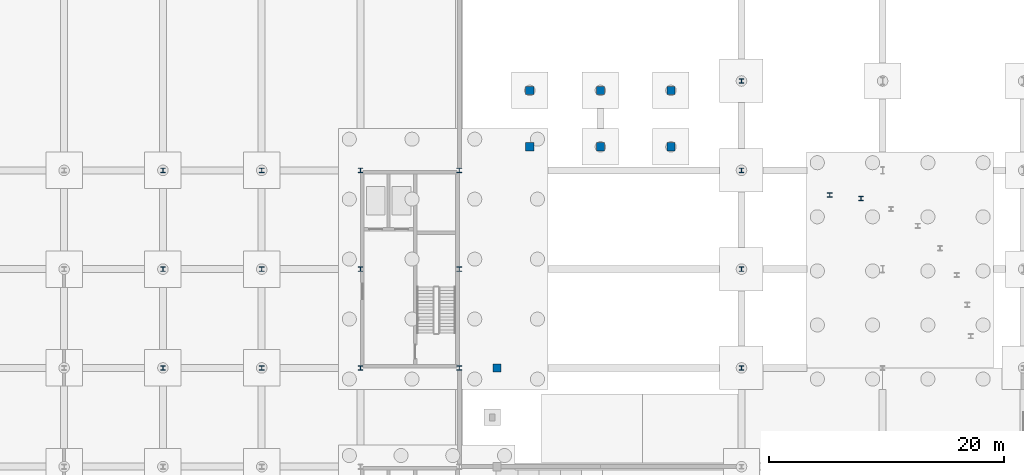
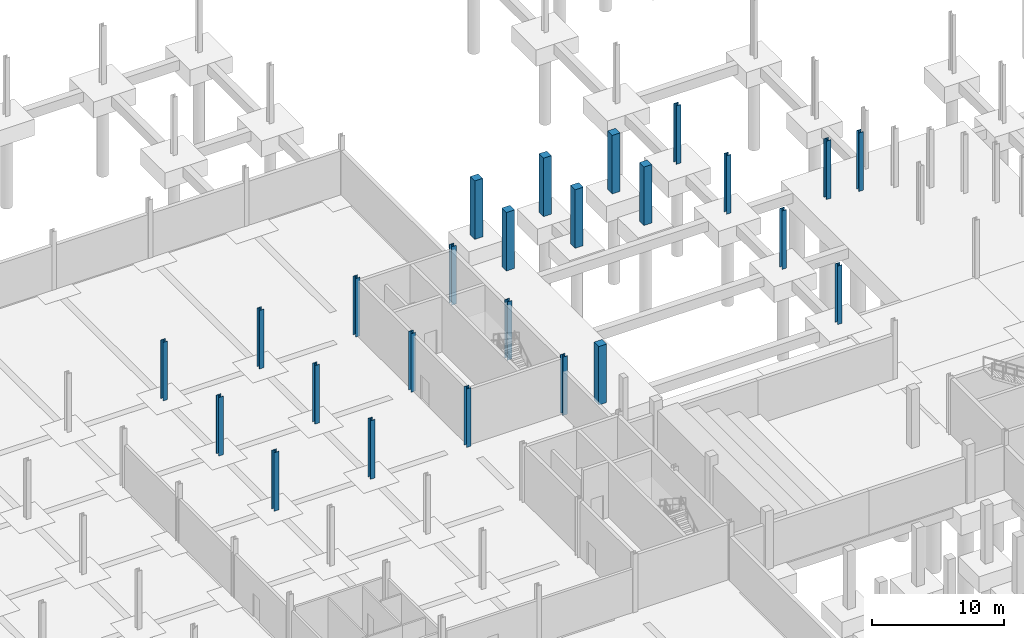
# One storey, part 14 of 36: 25 columns.
"""IFC4 building model written with IfcOpenShell, lengths in metres."""

from ifc_helpers import new_model, si_unit, direction, frame, origin, origin_2d, place, context, subcontext, project, spatial, rectangle, i_section, extrude, material, material_profile, profile_set, type_object, element, save


model = new_model("IFC4")

# Units and contexts
model_context = context("Model", 3, precision=1e-05, world=origin(), true_north=direction((0.0, 1.0)))
body_context = subcontext(model_context, "Body", "Model", "MODEL_VIEW")
ifc_project = project(units=[si_unit("LENGTHUNIT", "METRE"), si_unit("AREAUNIT", "SQUARE_METRE"), si_unit("VOLUMEUNIT", "CUBIC_METRE"), si_unit("PLANEANGLEUNIT", "RADIAN"), si_unit("MASSUNIT", "GRAM", prefix="KILO"), si_unit("THERMODYNAMICTEMPERATUREUNIT", "KELVIN"), si_unit("POWERUNIT", "WATT")], contexts=[model_context])

# Site, building, storey
site_placement = place(None, origin())
site = spatial("IfcSite", under=ifc_project, at=site_placement, CompositionType="ELEMENT")
building_placement = place(site_placement, origin())
building = spatial("IfcBuilding", under=site, at=building_placement, Name="Tembeka Court Mobility Hub", CompositionType="ELEMENT")
storey_placement = place(building_placement, frame((0.0, 0.0, -5.39990234375)))
storey = spatial("IfcBuildingStorey", under=building, at=storey_placement, Name="B1", CompositionType="ELEMENT", Elevation=-5.39990234375)

# Columns
ifc_material_1 = material(Name="Steel S355", Category="steel")
ifc_material_profile_1 = material_profile(ifc_material_1, i_section(OverallWidth=0.39892578125, OverallDepth=0.39404296875, WebThickness=0.022705078125, FlangeThickness=0.03662109375, FilletRadius=0.01513671875, at=origin_2d()), Name="UKC 356x406x287")
ifc_profile_set_1 = profile_set([ifc_material_profile_1], Name="Steel S355")
column_type_1 = type_object("IfcColumnType", Name="COL-C01", PredefinedType="COLUMN", material=ifc_profile_set_1)
for number, where, z_axis, x_axis, name in (
    (1, (67.199951171875, 63.60009765625, 0.0), (0.0, 0.0, 1.0), (1.0, 0.0, 0.0), "Column C01 (B1-098)"),
    (2, (67.199951171875, 72.0, 0.0), (0.0, 0.0, 1.0), (1.0, 0.0, 0.0), "Column C01 (B1-099)"),
    (3, (67.199951171875, 80.39990234375, 0.0), (0.0, 0.0, 1.0), (1.0, 0.0, 0.0), "Column C01 (B1-100)"),
    (4, (75.60009765625, 63.60009765625, 0.0), (0.0, 0.0, 1.0), (1.0, 0.0, 0.0), "Column C01 (B1-108)"),
    (5, (75.60009765625, 72.0, 0.0), (0.0, 0.0, 1.0), (1.0, 0.0, 0.0), "Column C01 (B1-109)"),
    (6, (75.60009765625, 80.39990234375, 0.0), (0.0, 0.0, 1.0), (1.0, 0.0, 0.0), "Column C01 (B1-110)"),
    (7, (84.0, 63.60009765625, 0.0), (0.0, 0.0, 1.0), (1.0, 0.0, 0.0), "Column C01 (B1-119)"),
    (8, (84.0, 72.0, 0.0), (0.0, 0.0, 1.0), (1.0, 0.0, 0.0), "Column C01 (B1-120)"),
    (9, (84.0, 80.39990234375, 0.0), (0.0, 0.0, 1.0), (1.0, 0.0, 0.0), "Column C01 (B1-121)"),
    (10, (92.39990234375, 63.60009765625, 0.0), (0.0, 0.0, 1.0), (1.0, 0.0, 0.0), "Column C01 (B1-131)"),
    (11, (92.39990234375, 72.0, 0.0), (0.0, 0.0, 1.0), (1.0, 0.0, 0.0), "Column C01 (B1-132)"),
    (12, (92.39990234375, 80.39990234375, 0.0), (0.0, 0.0, 1.0), (1.0, 0.0, 0.0), "Column C01 (B1-133)"),
    (13, (116.39990234375, 63.60009765625, 0.0), (0.0, 0.0, 1.0), (1.0, 0.0, 0.0), "Column C01 (B1-162)"),
    (14, (116.39990234375, 72.0, 0.0), (0.0, 0.0, 1.0), (1.0, 0.0, 0.0), "Column C01 (B1-163)"),
    (15, (116.39990234375, 80.39990234375, 0.0), (0.0, 0.0, 1.0), (1.0, 0.0, 0.0), "Column C01 (B1-164)"),
    (16, (116.39990234375, 88.0, 0.0), (0.0, 0.0, 1.0), (1.0, 0.0, 0.0), "Column C01 (B1-165)"),
    (17, (123.89990234375, 78.300048828125, 0.0), (0.0, 0.0, 1.0), (1.0, 0.0, 0.0), "Column C01 (B1-169)"),
    (18, (126.5703125, 77.9990234375, 0.0), (0.0, 0.0, 1.0), (1.0, 0.0, 0.0), "Column C01 (B1-171)"),
):
    element("IfcColumn", number, at=place(storey_placement, frame(where, z_axis=z_axis, x_axis=x_axis)), inside=storey, type_object=column_type_1, Name=name, PredefinedType="COLUMN", context=body_context, shape_type="SweptSolid", body=[
        extrude(i_section(OverallWidth=0.39892578125, OverallDepth=0.39404296875, WebThickness=0.022705078125, FlangeThickness=0.03662109375, FilletRadius=0.01513671875, at=origin_2d()), origin(), (0.0, 0.0, 1.0), 5.39990234375),
    ])
ifc_material_2 = material(Name="Concrete C40/50", Category="concrete")
ifc_material_profile_2 = material_profile(ifc_material_2, rectangle(XDim=0.699951171875, YDim=0.699951171875, at=origin_2d()), Name="RC-COL 700x700")
ifc_profile_set_2 = profile_set([ifc_material_profile_2], Name="Concrete C40/50")
column_type_2 = type_object("IfcColumnType", Name="COL-RC01", PredefinedType="COLUMN", material=ifc_profile_set_2)
for number, where, z_axis, x_axis, name in (
    (19, (95.60009765625, 63.60009765625, 0.0), (0.0, 0.0, 1.0), (1.0, 0.0, 0.0), "Column RC01 (B1-140)"),
    (20, (98.39990234375, 82.39990234375, 0.0), (0.0, 0.0, 1.0), (1.0, 0.0, 0.0), "Column RC01 (B1-143)"),
    (21, (98.39990234375, 87.199951171875, 0.0), (0.0, 0.0, 1.0), (1.0, 0.0, 0.0), "Column RC01 (B1-144)"),
    (22, (104.39990234375, 82.39990234375, 0.0), (0.0, 0.0, 1.0), (1.0, 0.0, 0.0), "Column RC01 (B1-147)"),
    (23, (104.39990234375, 87.199951171875, 0.0), (0.0, 0.0, 1.0), (1.0, 0.0, 0.0), "Column RC01 (B1-148)"),
    (24, (110.39990234375, 82.39990234375, 0.0), (0.0, 0.0, 1.0), (1.0, 0.0, 0.0), "Column RC01 (B1-151)"),
    (25, (110.39990234375, 87.199951171875, 0.0), (0.0, 0.0, 1.0), (1.0, 0.0, 0.0), "Column RC01 (B1-152)"),
):
    element("IfcColumn", number, at=place(storey_placement, frame(where, z_axis=z_axis, x_axis=x_axis)), inside=storey, type_object=column_type_2, Name=name, PredefinedType="COLUMN", context=body_context, shape_type="SweptSolid", body=[
        extrude(rectangle(XDim=0.699951171875, YDim=0.699951171875, at=origin_2d()), origin(), (0.0, 0.0, 1.0), 5.39990234375),
    ])

save(model, "model.ifc")
